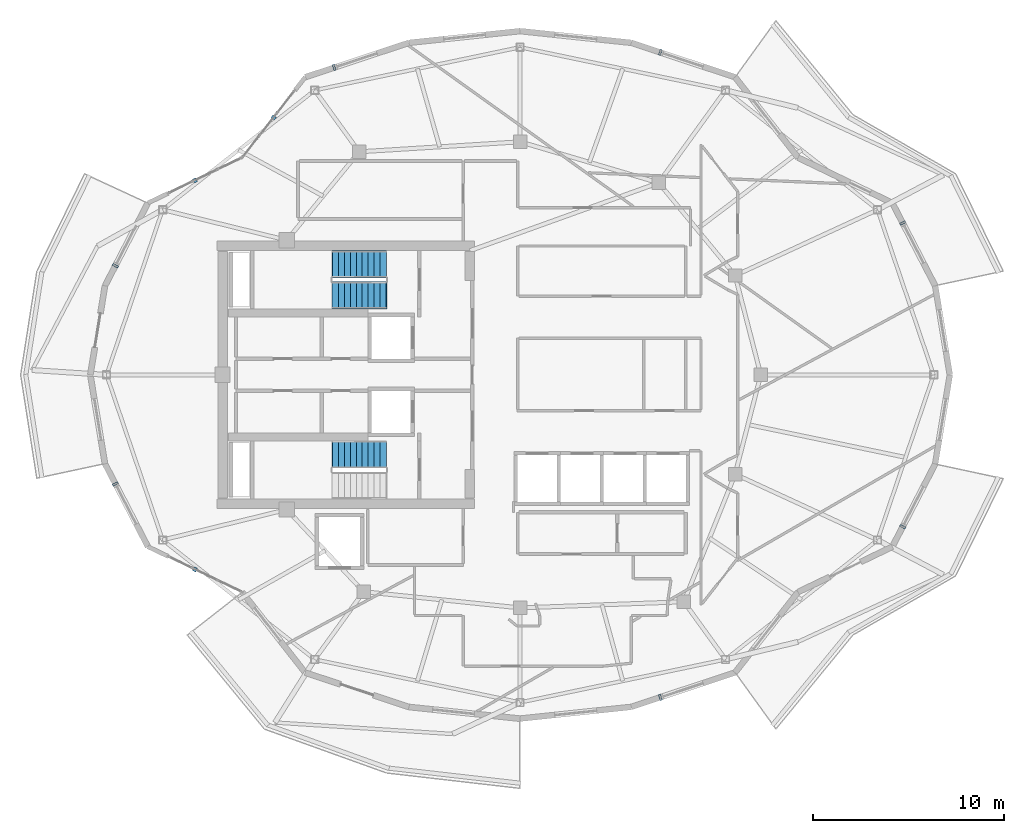
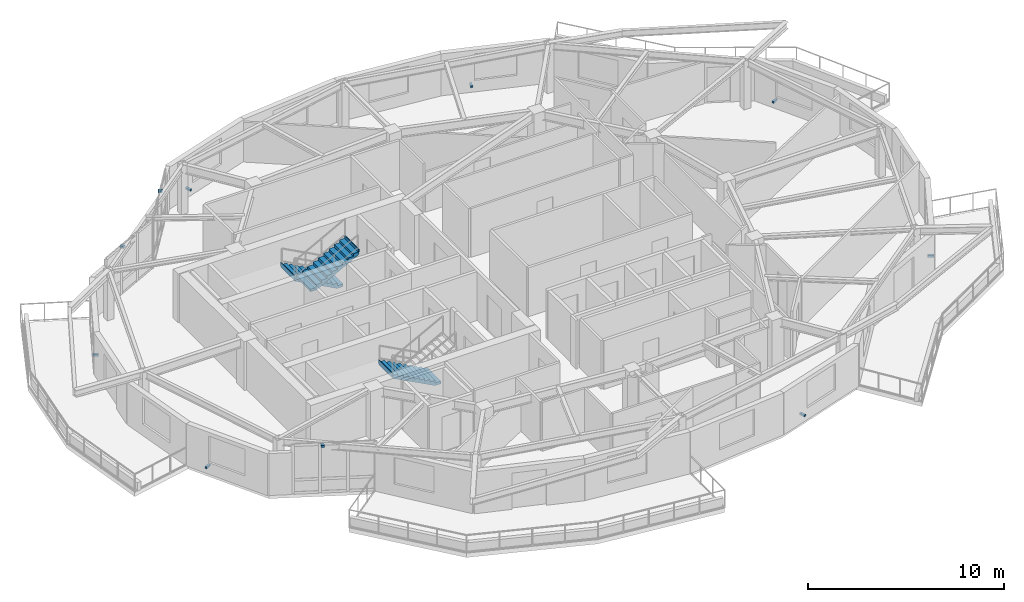
# One storey, part 11 of 14: 10 discrete accessories, 3 stair flights, 2 elements without a shape of their own.
"""IFC4 building model written with IfcOpenShell, lengths in metres."""

from ifc_helpers import new_model, si_unit, direction, frame, origin, origin_2d, place, context, subcontext, project, spatial, polyline, rectangle, outline, extrude, material, type_object, element, aggregate, save


model = new_model("IFC4")

# Units and contexts
model_context = context("Model", 3, precision=1e-05, world=origin(), true_north=direction((0.0, 1.0)))
body_context = subcontext(model_context, "Body", "Model", "MODEL_VIEW")
ifc_project = project(units=[si_unit("LENGTHUNIT", "METRE"), si_unit("AREAUNIT", "SQUARE_METRE"), si_unit("VOLUMEUNIT", "CUBIC_METRE"), si_unit("PLANEANGLEUNIT", "RADIAN"), si_unit("MASSUNIT", "GRAM", prefix="KILO")], contexts=[model_context])

# Site, building, storey
site_placement = place(None, origin())
site = spatial("IfcSite", under=ifc_project, at=site_placement, CompositionType="ELEMENT")
building_placement = place(site_placement, origin())
building = spatial("IfcBuilding", under=site, at=building_placement, Name="Kolvaren Gate Tower and Convention Centre", CompositionType="ELEMENT")
storey_placement = place(building_placement, frame((0.0, 0.0, 252.5)))
storey = spatial("IfcBuildingStorey", under=building, at=storey_placement, Name="L68", CompositionType="ELEMENT", Elevation=252.5)

# Stair, stair flights
ifc_material_1 = material(Name="Concrete C50/60", Category="concrete")
stair_type = type_object("IfcStairType", Name="STR-STAIR-CORE", PredefinedType="HALF_TURN_STAIR", material=ifc_material_1)
stair_1_placement = place(storey_placement, origin())
stair_1 = element("IfcStair", 1, at=stair_1_placement, inside=storey, type_object=stair_type, Name="L68 Tower North Exit Stair ST-T1", PredefinedType="HALF_TURN_STAIR")
stair_flight_type = type_object("IfcStairFlightType", Name="STR-SFL-1420", PredefinedType="STRAIGHT", material=ifc_material_1)
stair_flight_1_placement = place(storey_placement, frame((23.10009765625, 32.7900390625, 0.0), z_axis=(0.0, 0.0, 1.0), x_axis=(-1.0, 0.0, 0.0)))
stair_flight_1 = element("IfcStairFlight", 2, at=stair_flight_1_placement, type_object=stair_flight_type, Name="ST-T1 flight 1", NumberOfRisers=10, NumberOfTreads=9, PredefinedType="STRAIGHT", RiserHeight=0.165, TreadLength=0.31, context=body_context, shape_type="SweptSolid", body=[
    extrude(outline(polyline([(-0.034912109375, 0.0), (-0.034912109375, 0.1650390625), (0.31005859375, 0.1650390625), (0.31005859375, 0.330078125), (0.6201171875, 0.330078125), (0.6201171875, 0.4951171875), (0.929931640625, 0.4951171875), (0.929931640625, 0.659912109375), (1.239990234375, 0.659912109375), (1.239990234375, 0.824951171875), (1.550048828125, 0.824951171875), (1.550048828125, 0.989990234375), (1.860107421875, 0.989990234375), (1.860107421875, 1.155029296875), (2.169921875, 1.155029296875), (2.169921875, 1.320068359375), (2.47998046875, 1.320068359375), (2.47998046875, 1.485107421875), (2.7900390625, 1.485107421875), (2.7900390625, 1.64990234375), (2.8349609375, 1.64990234375), (2.8349609375, 1.489990234375), (2.7900390625, 1.315185546875), (0.319091796875, 0.0), (-0.034912109375, 0.0)])), frame((0.0, 0.7099609375, 0.0), z_axis=(0.0, -1.0, 0.0), x_axis=(1.0, 0.0, 0.0)), (0.0, 0.0, 1.0), 1.419921875),
])
stair_flight_2_placement = place(storey_placement, frame((20.31005859375, 31.169921875, 1.64990234375), z_axis=(0.0, 0.0, 1.0), x_axis=(1.0, 0.0, 0.0)))
stair_flight_2 = element("IfcStairFlight", 3, at=stair_flight_2_placement, type_object=stair_flight_type, Name="ST-T1 flight 2", NumberOfRisers=10, NumberOfTreads=9, PredefinedType="STRAIGHT", RiserHeight=0.165, TreadLength=0.31, context=body_context, shape_type="SweptSolid", body=[
    extrude(outline(polyline([(-0.034912109375, 0.0), (-0.034912109375, 0.1650390625), (0.31005859375, 0.1650390625), (0.31005859375, 0.330078125), (0.6201171875, 0.330078125), (0.6201171875, 0.4951171875), (0.929931640625, 0.4951171875), (0.929931640625, 0.659912109375), (1.239990234375, 0.659912109375), (1.239990234375, 0.824951171875), (1.550048828125, 0.824951171875), (1.550048828125, 0.989990234375), (1.860107421875, 0.989990234375), (1.860107421875, 1.155029296875), (2.169921875, 1.155029296875), (2.169921875, 1.320068359375), (2.47998046875, 1.320068359375), (2.47998046875, 1.485107421875), (2.7900390625, 1.485107421875), (2.7900390625, 1.64990234375), (2.8349609375, 1.64990234375), (2.8349609375, 1.489990234375), (2.7900390625, 1.315185546875), (0.319091796875, 0.0), (-0.034912109375, 0.0)])), frame((0.0, 0.7099609375, 0.0), z_axis=(0.0, -1.0, 0.0), x_axis=(1.0, 0.0, 0.0)), (0.0, 0.0, 1.0), 1.419921875),
])
aggregate(stair_1, [stair_flight_1, stair_flight_2])

# Stair, stair flight
stair_2_placement = place(storey_placement, origin())
stair_2 = element("IfcStair", 4, at=stair_2_placement, inside=storey, type_object=stair_type, Name="L68 Tower South Exit Stair ST-T2", PredefinedType="HALF_TURN_STAIR")
stair_flight_3_placement = place(storey_placement, frame((23.10009765625, 22.830078125, 0.0), z_axis=(0.0, 0.0, 1.0), x_axis=(-1.0, 0.0, 0.0)))
stair_flight_3 = element("IfcStairFlight", 5, at=stair_flight_3_placement, type_object=stair_flight_type, Name="ST-T2 flight 1", NumberOfRisers=10, NumberOfTreads=9, PredefinedType="STRAIGHT", RiserHeight=0.165, TreadLength=0.31, context=body_context, shape_type="SweptSolid", body=[
    extrude(outline(polyline([(-0.034912109375, 0.0), (-0.034912109375, 0.1650390625), (0.31005859375, 0.1650390625), (0.31005859375, 0.330078125), (0.6201171875, 0.330078125), (0.6201171875, 0.4951171875), (0.929931640625, 0.4951171875), (0.929931640625, 0.659912109375), (1.239990234375, 0.659912109375), (1.239990234375, 0.824951171875), (1.550048828125, 0.824951171875), (1.550048828125, 0.989990234375), (1.860107421875, 0.989990234375), (1.860107421875, 1.155029296875), (2.169921875, 1.155029296875), (2.169921875, 1.320068359375), (2.47998046875, 1.320068359375), (2.47998046875, 1.485107421875), (2.7900390625, 1.485107421875), (2.7900390625, 1.64990234375), (2.8349609375, 1.64990234375), (2.8349609375, 1.489990234375), (2.7900390625, 1.315185546875), (0.319091796875, 0.0), (-0.034912109375, 0.0)])), frame((0.0, 0.7099609375, 0.0), z_axis=(0.0, -1.0, 0.0), x_axis=(1.0, 0.0, 0.0)), (0.0, 0.0, 1.0), 1.419921875),
])
aggregate(stair_2, [stair_flight_3])

# Discrete accessories
ifc_material_2 = material(Name="Anodized Architectural Aluminium Alloy 6063-T6", Category="aluminium")
discrete_accessory_type = type_object("IfcDiscreteAccessoryType", Name="ARCH-ACC-BRACKET-120", PredefinedType="BRACKET", material=ifc_material_2)
for number, where, z_axis, x_axis, name in (
    (6, (50.155029296875, 34.948486328125, 0.2900390625), (0.0, 0.0, 1.0), (0.459778260738, -0.888033755525, 0.0), "Ceramic Fin Wall Anchor Bracket FBK-L68-01"),
    (7, (37.46533203125, 43.884033203125, 0.2900390625), (0.0, 0.0, 1.0), (0.949241728595, -0.314547517385, 0.0), "Ceramic Fin Wall Anchor Bracket FBK-L68-04"),
    (8, (20.391845703125, 43.091064453125, 0.2900390625), (0.0, 0.0, 1.0), (0.949241728595, 0.314547517385, 0.0), "Ceramic Fin Wall Anchor Bracket FBK-L68-07"),
):
    element("IfcDiscreteAccessory", number, at=place(storey_placement, frame(where, z_axis=z_axis, x_axis=x_axis)), inside=storey, type_object=discrete_accessory_type, Name=name, PredefinedType="BRACKET", context=body_context, shape_type="SweptSolid", body=[
        extrude(rectangle(XDim=0.1201171875, YDim=0.320068359375, at=origin_2d()), origin(), (0.0, 0.0, 1.0), 0.1201171875),
    ])
for number, where, z_axis, x_axis, name in (
    (9, (17.223876953125, 40.4794921875, 2.849853515625), (0.0, 0.0, 1.0), (0.616435493395, 0.787405411769, 0.0), "Solar Screen Spandrel Anchor Bracket BK-L68-08"),
    (10, (13.10595703125, 37.185302734375, 2.849853515625), (0.0, 0.0, 1.0), (0.901357634097, 0.433075530889, 0.0), "Solar Screen Spandrel Anchor Bracket BK-L68-09"),
):
    element("IfcDiscreteAccessory", number, at=place(storey_placement, frame(where, z_axis=z_axis, x_axis=x_axis)), inside=storey, type_object=discrete_accessory_type, Name=name, PredefinedType="BRACKET", context=body_context, shape_type="SweptSolid", body=[
        extrude(rectangle(XDim=0.179931640625, YDim=0.219970703125, at=origin_2d()), origin(), (0.0, 0.0, 1.0), 0.1201171875),
    ])
for number, where, z_axis, x_axis, name in (
    (11, (8.93603515625, 32.710205078125, 0.2900390625), (0.0, 0.0, 1.0), (0.459778260738, 0.888033755525, 0.0), "Ceramic Fin Wall Anchor Bracket FBK-L68-10"),
    (12, (8.93603515625, 21.289794921875, 0.2900390625), (0.0, 0.0, 1.0), (0.459778260738, -0.888033755525, 0.0), "Ceramic Fin Wall Anchor Bracket FBK-L68-13"),
):
    element("IfcDiscreteAccessory", number, at=place(storey_placement, frame(where, z_axis=z_axis, x_axis=x_axis)), inside=storey, type_object=discrete_accessory_type, Name=name, PredefinedType="BRACKET", context=body_context, shape_type="SweptSolid", body=[
        extrude(rectangle(XDim=0.1201171875, YDim=0.320068359375, at=origin_2d()), origin(), (0.0, 0.0, 1.0), 0.1201171875),
    ])
discrete_accessory_placement = place(storey_placement, frame((13.10595703125, 16.814697265625, 2.849853515625), z_axis=(0.0, 0.0, 1.0), x_axis=(0.901357634097, -0.433075530889, 0.0)))
element("IfcDiscreteAccessory", 13, at=discrete_accessory_placement, inside=storey, type_object=discrete_accessory_type, Name="Solar Screen Spandrel Anchor Bracket BK-L68-14", PredefinedType="BRACKET", context=body_context, shape_type="SweptSolid", body=[
    extrude(rectangle(XDim=0.179931640625, YDim=0.219970703125, at=origin_2d()), origin(), (0.0, 0.0, 1.0), 0.1201171875),
])
for number, where, z_axis, x_axis, name in (
    (14, (37.46533203125, 10.115966796875, 0.2900390625), (0.0, 0.0, 1.0), (0.949241728595, 0.314547517385, 0.0), "Ceramic Fin Wall Anchor Bracket FBK-L68-19"),
    (15, (50.155029296875, 19.051513671875, 0.2900390625), (0.0, 0.0, 1.0), (0.459778260738, 0.888033755525, 0.0), "Ceramic Fin Wall Anchor Bracket FBK-L68-22"),
):
    element("IfcDiscreteAccessory", number, at=place(storey_placement, frame(where, z_axis=z_axis, x_axis=x_axis)), inside=storey, type_object=discrete_accessory_type, Name=name, PredefinedType="BRACKET", context=body_context, shape_type="SweptSolid", body=[
        extrude(rectangle(XDim=0.1201171875, YDim=0.320068359375, at=origin_2d()), origin(), (0.0, 0.0, 1.0), 0.1201171875),
    ])

save(model, "model.ifc")
